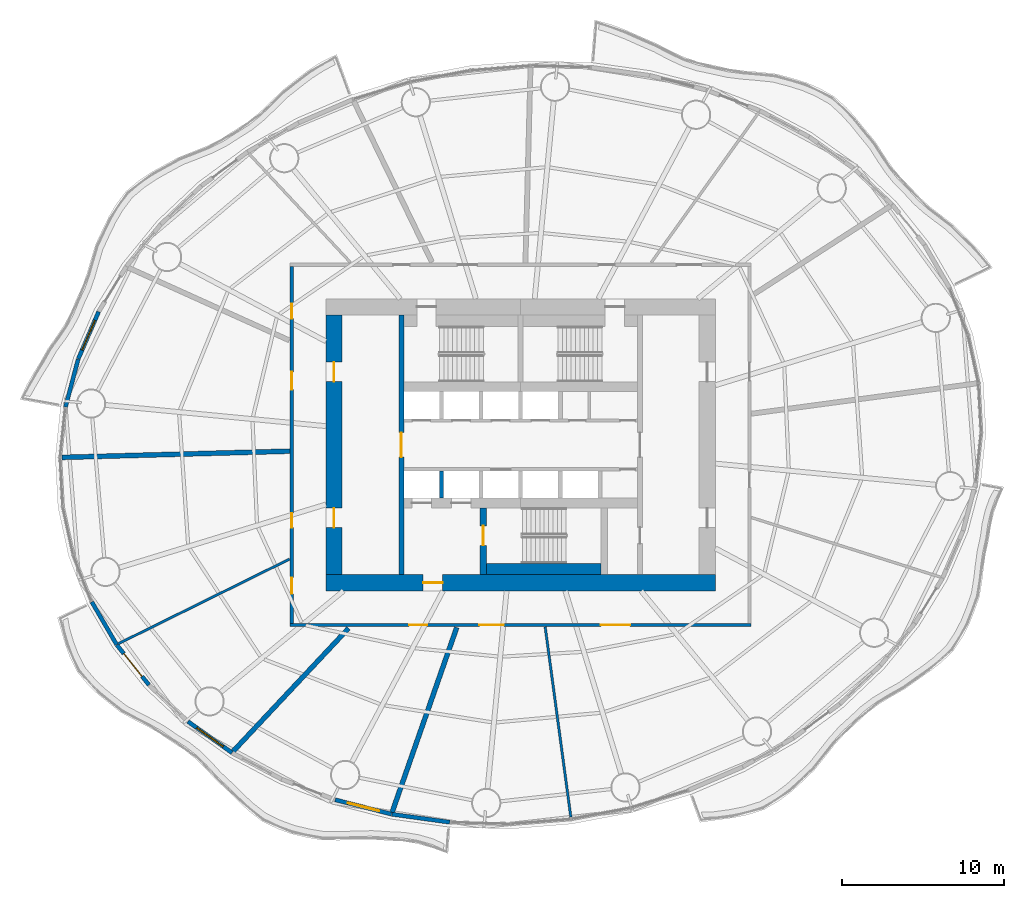
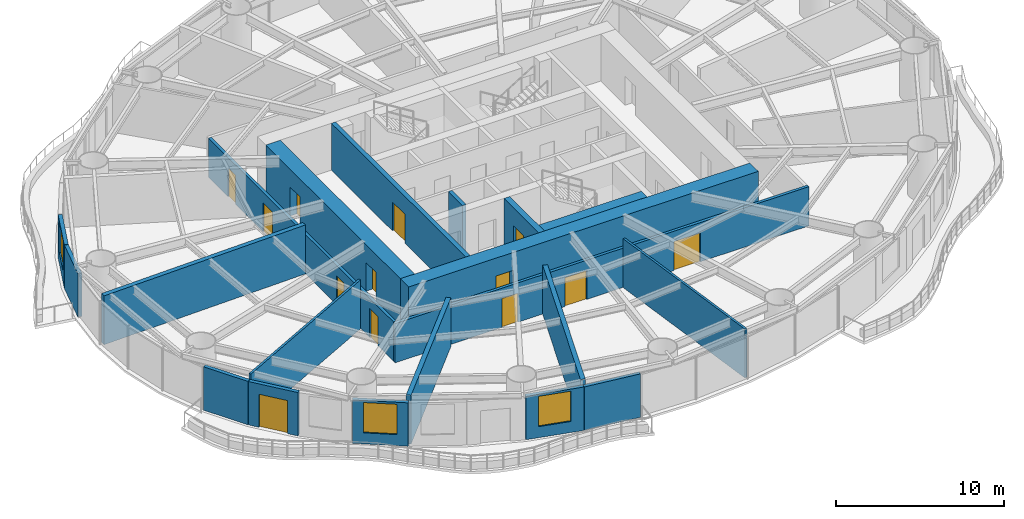
# One storey, part 8 of 16: 20 walls, 13 doors, 3 windows, 16 openings.
"""IFC4 building model written with IfcOpenShell, lengths in metres."""

from ifc_helpers import new_model, si_unit, direction, frame, frame_2d, origin, place, context, subcontext, project, spatial, rectangle, extrude, material, layer, layer_set, type_object, element, fill, save


model = new_model("IFC4")

# Units and contexts
model_context = context("Model", 3, precision=1e-05, world=origin(), true_north=direction((0.0, 1.0)))
body_context = subcontext(model_context, "Body", "Model", "MODEL_VIEW")
ifc_project = project(units=[si_unit("LENGTHUNIT", "METRE"), si_unit("AREAUNIT", "SQUARE_METRE"), si_unit("VOLUMEUNIT", "CUBIC_METRE"), si_unit("PLANEANGLEUNIT", "RADIAN"), si_unit("MASSUNIT", "GRAM", prefix="KILO")], contexts=[model_context])

# Site, building, storey
site_placement = place(None, origin())
site = spatial("IfcSite", under=ifc_project, at=site_placement, CompositionType="ELEMENT")
building_placement = place(site_placement, origin())
building = spatial("IfcBuilding", under=site, at=building_placement, Name="Vermilion Reach Broadcast Tower", CompositionType="ELEMENT")
storey_placement = place(building_placement, frame((0.0, 0.0, 65.60009765625)))
storey = spatial("IfcBuildingStorey", under=building, at=storey_placement, Name="L13", CompositionType="ELEMENT", Elevation=65.60009765625)

# Wall, opening, door
ifc_material_1 = material(Name="Concrete C70", Category="concrete")
ifc_layer_1 = layer(ifc_material_1, 0.300048828125)
ifc_layer_set_1 = layer_set([ifc_layer_1], Name="Core inner wall 300 mm Concrete C70")
wall_type_1 = type_object("IfcWallType", Name="Core inner wall 300 mm Concrete C70", PredefinedType="SHEAR", material=ifc_layer_set_1)
wall_1_placement = place(storey_placement, frame((-13.35009765625, 8.0, 0.0), z_axis=(0.0, 0.0, 1.0), x_axis=(0.0, -1.0, 0.0)))
wall_1 = element("IfcWall", 1, at=wall_1_placement, inside=storey, type_object=wall_type_1, Name="L13 core wall ewW", PredefinedType="SHEAR", context=body_context, shape_type="SweptSolid", body=[
    extrude(rectangle(XDim=16.0, YDim=0.300048828125, at=frame_2d((8.0, 0.0))), origin(), (0.0, 0.0, 1.0), 3.39990234375),
])
opening_1_placement = place(wall_1_placement, frame((7.25, 0.0, 0.0)))
opening_1 = element("IfcOpeningElement", 2, at=opening_1_placement, cuts=wall_1, Name="Opening D04", PredefinedType="OPENING", context=body_context, shape_type="SweptSolid", body=[
    extrude(rectangle(XDim=1.5, YDim=2.10009765625, at=frame_2d((0.75, 1.050048828125))), frame((0.0, 0.159912109375, 0.0), z_axis=(0.0, -1.0, 0.0), x_axis=(1.0, 0.0, 0.0)), (0.0, 0.0, 1.0), 0.320068359375),
])
ifc_material_2 = material(Name="Painted steel fire door", Category="steel")
door_type_1 = type_object("IfcDoorType", Name="Lift lobby door 1500 x 2100", OperationType="DOUBLE_DOOR_SINGLE_SWING", PredefinedType="NOTDEFINED", material=ifc_material_2)
door_1_placement = place(opening_1_placement, origin())
door_1 = element("IfcDoor", 3, at=door_1_placement, inside=storey, type_object=door_type_1, Name="L13 band door BW", OperationType="DOUBLE_DOOR_SINGLE_SWING", OverallHeight=2.10009765625, OverallWidth=1.5, PredefinedType="NOTDEFINED", context=body_context, shape_type="SweptSolid", body=[
    extrude(rectangle(XDim=1.5, YDim=2.10009765625, at=frame_2d((0.75, 1.050048828125))), frame((0.0, 0.02490234375, 0.0), z_axis=(0.0, -1.0, 0.0), x_axis=(1.0, 0.0, 0.0)), (0.0, 0.0, 1.0), 0.050048828125),
])
fill(opening_1, door_1)

ifc_material_3 = material(Name="Concrete C70", Category="concrete")
ifc_layer_2 = layer(ifc_material_3, 0.39990234375)
ifc_layer_set_2 = layer_set([ifc_layer_2], Name="Core inner wall 400 mm Concrete C70")
wall_type_2 = type_object("IfcWallType", Name="Core inner wall 400 mm Concrete C70", PredefinedType="SHEAR", material=ifc_layer_set_2)
wall_2_placement = place(storey_placement, frame((-8.300048828125, -3.8798828125, 0.0), z_axis=(0.0, 0.0, 1.0), x_axis=(0.0, -1.0, 0.0)))
wall_2 = element("IfcWall", 4, at=wall_2_placement, inside=storey, type_object=wall_type_2, Name="L13 core wall wa", PredefinedType="SHEAR", context=body_context, shape_type="SweptSolid", body=[
    extrude(rectangle(XDim=4.1201171875, YDim=0.39990234375, at=frame_2d((2.06005859375, 0.0))), origin(), (0.0, 0.0, 1.0), 3.39990234375),
])
opening_2_placement = place(wall_2_placement, frame((1.110107421875, 0.0, 0.0)))
opening_2 = element("IfcOpeningElement", 5, at=opening_2_placement, cuts=wall_2, Name="Opening D01", PredefinedType="OPENING", context=body_context, shape_type="SweptSolid", body=[
    extrude(rectangle(XDim=1.199951171875, YDim=2.10009765625, at=frame_2d((0.60009765625, 1.050048828125))), frame((0.0, 0.2099609375, 0.0), z_axis=(0.0, -1.0, 0.0), x_axis=(1.0, 0.0, 0.0)), (0.0, 0.0, 1.0), 0.419921875),
])
ifc_material_4 = material(Name="Painted steel fire door", Category="steel")
door_type_2 = type_object("IfcDoorType", Name="Stair door 1200 x 2100", OperationType="DOUBLE_DOOR_SINGLE_SWING", PredefinedType="NOTDEFINED", material=ifc_material_4)
door_2_placement = place(opening_2_placement, origin())
door_2 = element("IfcDoor", 6, at=door_2_placement, inside=storey, type_object=door_type_2, Name="L13 stair door ST3", OperationType="DOUBLE_DOOR_SINGLE_SWING", OverallHeight=2.10009765625, OverallWidth=1.199951171875, PredefinedType="NOTDEFINED", context=body_context, shape_type="SweptSolid", body=[
    extrude(rectangle(XDim=1.199951171875, YDim=2.10009765625, at=frame_2d((0.60009765625, 1.050048828125))), frame((0.0, 0.02490234375, 0.0), z_axis=(0.0, -1.0, 0.0), x_axis=(1.0, 0.0, 0.0)), (0.0, 0.0, 1.0), 0.050048828125),
])
fill(opening_2, door_2)

ifc_material_5 = material(Name="Concrete C70", Category="concrete")
ifc_layer_3 = layer(ifc_material_5, 1.0)
ifc_layer_set_3 = layer_set([ifc_layer_3], Name="Core outer wall 1000 mm Concrete C70")
wall_type_3 = type_object("IfcWallType", Name="Core outer wall 1000 mm Concrete C70", PredefinedType="SHEAR", material=ifc_layer_set_3)
wall_3_placement = place(storey_placement, frame((-18.0, -8.5, 0.0), z_axis=(0.0, 0.0, 1.0), x_axis=(1.0, 0.0, 0.0)))
wall_3 = element("IfcWall", 7, at=wall_3_placement, inside=storey, type_object=wall_type_3, Name="L13 core wall os", PredefinedType="SHEAR", context=body_context, shape_type="SweptSolid", body=[
    extrude(rectangle(XDim=24.0, YDim=1.0, at=frame_2d((12.0, 0.0))), origin(), (0.0, 0.0, 1.0), 3.39990234375),
])
opening_3_placement = place(wall_3_placement, frame((6.0, 0.0, 0.0)))
opening_3 = element("IfcOpeningElement", 8, at=opening_3_placement, cuts=wall_3, Name="Opening D02", PredefinedType="OPENING", context=body_context, shape_type="SweptSolid", body=[
    extrude(rectangle(XDim=1.199951171875, YDim=2.10009765625, at=frame_2d((0.60009765625, 1.050048828125))), frame((0.0, 0.510009765625, 0.0), z_axis=(0.0, -1.0, 0.0), x_axis=(1.0, 0.0, 0.0)), (0.0, 0.0, 1.0), 1.02001953125),
])
ifc_material_6 = material(Name="Painted steel fire door", Category="steel")
door_type_3 = type_object("IfcDoorType", Name="Firefighting lobby door 1200 x 2100", OperationType="DOUBLE_DOOR_SINGLE_SWING", PredefinedType="NOTDEFINED", material=ifc_material_6)
door_3_placement = place(opening_3_placement, origin())
door_3 = element("IfcDoor", 9, at=door_3_placement, inside=storey, type_object=door_type_3, Name="L13 ffdoor door FFL", OperationType="DOUBLE_DOOR_SINGLE_SWING", OverallHeight=2.10009765625, OverallWidth=1.199951171875, PredefinedType="NOTDEFINED", context=body_context, shape_type="SweptSolid", body=[
    extrude(rectangle(XDim=1.199951171875, YDim=2.10009765625, at=frame_2d((0.60009765625, 1.050048828125))), frame((0.0, 0.02490234375, 0.0), z_axis=(0.0, -1.0, 0.0), x_axis=(1.0, 0.0, 0.0)), (0.0, 0.0, 1.0), 0.050048828125),
])
fill(opening_3, door_3)

# Wall, openings, doors
wall_4_placement = place(storey_placement, frame((-17.5, 8.0, 0.0), z_axis=(0.0, 0.0, 1.0), x_axis=(0.0, -1.0, 0.0)))
wall_4 = element("IfcWall", 10, at=wall_4_placement, inside=storey, type_object=wall_type_3, Name="L13 core wall ow", PredefinedType="SHEAR", context=body_context, shape_type="SweptSolid", body=[
    extrude(rectangle(XDim=16.0, YDim=1.0, at=frame_2d((8.0, 0.0))), origin(), (0.0, 0.0, 1.0), 3.39990234375),
])
opening_4_placement = place(wall_4_placement, frame((11.89990234375, 0.0, 0.0)))
opening_4 = element("IfcOpeningElement", 11, at=opening_4_placement, cuts=wall_4, Name="Opening D03", PredefinedType="OPENING", context=body_context, shape_type="SweptSolid", body=[
    extrude(rectangle(XDim=1.199951171875, YDim=2.10009765625, at=frame_2d((0.60009765625, 1.050048828125))), frame((0.0, 0.510009765625, 0.0), z_axis=(0.0, -1.0, 0.0), x_axis=(1.0, 0.0, 0.0)), (0.0, 0.0, 1.0), 1.02001953125),
])
opening_5_placement = place(wall_4_placement, frame((2.89990234375, 0.0, 0.0)))
opening_5 = element("IfcOpeningElement", 12, at=opening_5_placement, cuts=wall_4, Name="Opening D03", PredefinedType="OPENING", context=body_context, shape_type="SweptSolid", body=[
    extrude(rectangle(XDim=1.199951171875, YDim=2.10009765625, at=frame_2d((0.60009765625, 1.050048828125))), frame((0.0, 0.510009765625, 0.0), z_axis=(0.0, -1.0, 0.0), x_axis=(1.0, 0.0, 0.0)), (0.0, 0.0, 1.0), 1.02001953125),
])
ifc_material_7 = material(Name="Painted steel fire door", Category="steel")
door_type_4 = type_object("IfcDoorType", Name="Core lobby door 1200 x 2100", OperationType="DOUBLE_DOOR_SINGLE_SWING", PredefinedType="NOTDEFINED", material=ifc_material_7)
door_4_placement = place(opening_4_placement, origin())
door_4 = element("IfcDoor", 13, at=door_4_placement, inside=storey, type_object=door_type_4, Name="L13 slot door W0", OperationType="DOUBLE_DOOR_SINGLE_SWING", OverallHeight=2.10009765625, OverallWidth=1.199951171875, PredefinedType="NOTDEFINED", context=body_context, shape_type="SweptSolid", body=[
    extrude(rectangle(XDim=1.199951171875, YDim=2.10009765625, at=frame_2d((0.60009765625, 1.050048828125))), frame((0.0, 0.02490234375, 0.0), z_axis=(0.0, -1.0, 0.0), x_axis=(1.0, 0.0, 0.0)), (0.0, 0.0, 1.0), 0.050048828125),
])
fill(opening_4, door_4)
door_5_placement = place(opening_5_placement, origin())
door_5 = element("IfcDoor", 14, at=door_5_placement, inside=storey, type_object=door_type_4, Name="L13 slot door W1", OperationType="DOUBLE_DOOR_SINGLE_SWING", OverallHeight=2.10009765625, OverallWidth=1.199951171875, PredefinedType="NOTDEFINED", context=body_context, shape_type="SweptSolid", body=[
    extrude(rectangle(XDim=1.199951171875, YDim=2.10009765625, at=frame_2d((0.60009765625, 1.050048828125))), frame((0.0, 0.02490234375, 0.0), z_axis=(0.0, -1.0, 0.0), x_axis=(1.0, 0.0, 0.0)), (0.0, 0.0, 1.0), 0.050048828125),
])
fill(opening_5, door_5)

# Walls
ifc_material_8 = material(Name="Concrete C50", Category="concrete")
ifc_layer_4 = layer(ifc_material_8, 0.25)
ifc_layer_set_4 = layer_set([ifc_layer_4], Name="Core shaft wall 250 mm Concrete C50")
wall_type_4 = type_object("IfcWallType", Name="Core shaft wall 250 mm Concrete C50", PredefinedType="SHEAR", material=ifc_layer_set_4)
wall_5_placement = place(storey_placement, frame((-10.88330078125, -1.60009765625, 0.0), z_axis=(0.0, 0.0, 1.0), x_axis=(0.0, -1.0, 0.0)))
element("IfcWall", 15, at=wall_5_placement, inside=storey, type_object=wall_type_4, Name="L13 core wall psS0", PredefinedType="SHEAR", context=body_context, shape_type="SweptSolid", body=[
    extrude(rectangle(XDim=1.679931640625, YDim=0.25, at=frame_2d((0.83984375, 0.0))), origin(), (0.0, 0.0, 1.0), 3.39990234375),
])
ifc_material_9 = material(Name="Concrete C70", Category="concrete")
ifc_layer_5 = layer(ifc_material_9, 0.699951171875)
ifc_layer_set_5 = layer_set([ifc_layer_5], Name="Core stair wall 700 mm Concrete C70")
wall_type_5 = type_object("IfcWallType", Name="Core stair wall 700 mm Concrete C70", PredefinedType="SHEAR", material=ifc_layer_set_5)
wall_6_placement = place(storey_placement, frame((-8.10009765625, -7.64990234375, 0.0), z_axis=(0.0, 0.0, 1.0), x_axis=(1.0, 0.0, 0.0)))
element("IfcWall", 16, at=wall_6_placement, inside=storey, type_object=wall_type_5, Name="L13 core wall l3", PredefinedType="SHEAR", context=body_context, shape_type="SweptSolid", body=[
    extrude(rectangle(XDim=7.050048828125, YDim=0.699951171875, at=frame_2d((3.52490234375, 0.0))), origin(), (0.0, 0.0, 1.0), 3.39990234375),
])
ifc_material_10 = material(Name="Lightweight concrete block, plastered", Category="concrete")
ifc_layer_6 = layer(ifc_material_10, 0.14990234375)
ifc_layer_set_6 = layer_set([ifc_layer_6], Name="Partition 150 lightweight block")
wall_type_6 = type_object("IfcWallType", Name="Partition 150 lightweight block", PredefinedType="PARTITIONING", material=ifc_layer_set_6)
wall_7_placement = place(storey_placement, frame((-30.779541015625, -12.24951171875, 0.0), z_axis=(0.0, 0.0, 1.0), x_axis=(0.89644340997, 0.443158225379, 0.0)))
element("IfcWall", 17, at=wall_7_placement, inside=storey, type_object=wall_type_6, Name="Partition 13.09", PredefinedType="PARTITIONING", context=body_context, shape_type="SweptSolid", body=[
    extrude(rectangle(XDim=11.7646484375, YDim=0.14990234375, at=frame_2d((5.88232421875, 0.0))), origin(), (0.0, 0.0, 1.0), 3.5498046875),
])
wall_8_placement = place(storey_placement, frame((-2.906982421875, -22.93701171875, 0.0), z_axis=(0.0, 0.0, 1.0), x_axis=(-0.133632581672, 0.99103094458, 0.0)))
element("IfcWall", 18, at=wall_8_placement, inside=storey, type_object=wall_type_6, Name="Partition 13.12", PredefinedType="PARTITIONING", context=body_context, shape_type="SweptSolid", body=[
    extrude(rectangle(XDim=11.833251953125, YDim=0.14990234375, at=frame_2d((5.91650390625, 0.0))), origin(), (0.0, 0.0, 1.0), 3.5498046875),
])
ifc_material_11 = material(Name="Double-leaf plasterboard on isolated steel stud", Category="steel")
ifc_layer_7 = layer(ifc_material_11, 0.300048828125)
ifc_layer_set_7 = layer_set([ifc_layer_7], Name="Partition 300 acoustic double leaf")
wall_type_7 = type_object("IfcWallType", Name="Partition 300 acoustic double leaf", PredefinedType="PARTITIONING", material=ifc_layer_set_7)
wall_9_placement = place(storey_placement, frame((-34.247314453125, -0.77294921875, 0.0), z_axis=(0.0, 0.0, 1.0), x_axis=(0.999625818084, 0.027353680181, 0.0)))
element("IfcWall", 19, at=wall_9_placement, inside=storey, type_object=wall_type_7, Name="Partition 13.08", PredefinedType="PARTITIONING", context=body_context, shape_type="SweptSolid", body=[
    extrude(rectangle(XDim=14.048583984375, YDim=0.300048828125, at=frame_2d((7.0244140625, 0.0))), origin(), (0.0, 0.0, 1.0), 3.5498046875),
])
wall_10_placement = place(storey_placement, frame((-23.705810546875, -18.873046875, 0.0), z_axis=(0.0, 0.0, 1.0), x_axis=(0.684203954535, 0.729290716106, 0.0)))
element("IfcWall", 20, at=wall_10_placement, inside=storey, type_object=wall_type_7, Name="Partition 13.10", PredefinedType="PARTITIONING", context=body_context, shape_type="SweptSolid", body=[
    extrude(rectangle(XDim=10.38037109375, YDim=0.300048828125, at=frame_2d((5.190185546875, 0.0))), origin(), (0.0, 0.0, 1.0), 3.5498046875),
])
wall_11_placement = place(storey_placement, frame((-13.916748046875, -22.634033203125, 0.0), z_axis=(0.0, 0.0, 1.0), x_axis=(0.330154755406, 0.943926817864, 0.0)))
element("IfcWall", 21, at=wall_11_placement, inside=storey, type_object=wall_type_7, Name="Partition 13.11", PredefinedType="PARTITIONING", context=body_context, shape_type="SweptSolid", body=[
    extrude(rectangle(XDim=12.060791015625, YDim=0.300048828125, at=frame_2d((6.0302734375, 0.0))), origin(), (0.0, 0.0, 1.0), 3.5498046875),
])

# Wall, opening, window
ifc_material_12 = material(Name="Terracotta rainscreen cladding", Category="masonry")
ifc_layer_8 = layer(ifc_material_12, 0.25)
ifc_layer_set_8 = layer_set([ifc_layer_8], Name="Terracotta rainscreen wall 250")
wall_type_8 = type_object("IfcWallType", Name="Terracotta rainscreen wall 250", PredefinedType="SOLIDWALL", material=ifc_layer_set_8)
wall_12_placement = place(storey_placement, frame((-32.0, 8.199951171875, 0.0), z_axis=(0.0, 0.0, 1.0), x_axis=(-0.396530812493, -0.918021413009, 0.0)))
wall_12 = element("IfcWall", 22, at=wall_12_placement, inside=storey, type_object=wall_type_8, Name="External wall L13 20", PredefinedType="SOLIDWALL", context=body_context, shape_type="SweptSolid", body=[
    extrude(rectangle(XDim=3.1572265625, YDim=0.25, at=frame_2d((1.57861328125, 0.0))), origin(), (0.0, 0.0, 1.0), 3.14990234375),
])
opening_6_placement = place(wall_12_placement, frame((0.57861328125, 0.0, 0.800048828125)))
opening_6 = element("IfcOpeningElement", 23, at=opening_6_placement, cuts=wall_12, Name="Opening W01", PredefinedType="OPENING", context=body_context, shape_type="SweptSolid", body=[
    extrude(rectangle(XDim=2.0, YDim=2.199951171875, at=frame_2d((1.0, 1.10009765625))), frame((0.0, 0.135009765625, 0.0), z_axis=(0.0, -1.0, 0.0), x_axis=(1.0, 0.0, 0.0)), (0.0, 0.0, 1.0), 0.27001953125),
])
ifc_material_13 = material(Name="Low-e laminated clear glass in aluminium frame", Category="aluminium")
window_type = type_object("IfcWindowType", Name="Punched window 2000 x 2200 sill 800", PartitioningType="SINGLE_PANEL", PredefinedType="WINDOW", material=ifc_material_13)
window_1_placement = place(opening_6_placement, origin())
window_1 = element("IfcWindow", 24, at=window_1_placement, inside=storey, type_object=window_type, Name="Window L13 20", OverallHeight=2.199951171875, OverallWidth=2.0, PartitioningType="SINGLE_PANEL", PredefinedType="WINDOW", context=body_context, shape_type="SweptSolid", body=[
    extrude(rectangle(XDim=2.0, YDim=2.199951171875, at=frame_2d((1.0, 1.10009765625))), frame((0.0, 0.030029296875, 0.0), z_axis=(0.0, -1.0, 0.0), x_axis=(1.0, 0.0, 0.0)), (0.0, 0.0, 1.0), 0.06005859375),
])
fill(opening_6, window_1)

# Walls
for number, where, z_axis, x_axis, name in (
    (25, (-33.260498046875, 5.2763671875, 0.0), (0.0, 0.0, 1.0), (-0.255826473169, -0.966722719101, 0.0), "External wall L13 21"),
    (26, (-32.420654296875, -9.675537109375, 0.0), (0.0, 0.0, 1.0), (0.502779258101, -0.864414841163, 0.0), "External wall L13 26"),
):
    element("IfcWall", number, at=place(storey_placement, frame(where, z_axis=z_axis, x_axis=x_axis)), inside=storey, type_object=wall_type_8, Name=name, PredefinedType="SOLIDWALL", context=body_context, shape_type="SweptSolid", body=[
        extrude(rectangle(XDim=3.046142578125, YDim=0.25, at=frame_2d((1.52294921875, 0.0))), origin(), (0.0, 0.0, 1.0), 3.14990234375),
    ])

# Wall, opening, door
wall_13_placement = place(storey_placement, frame((-30.874267578125, -12.33056640625, 0.0), z_axis=(0.0, 0.0, 1.0), x_axis=(0.625543346061, -0.780189414308, 0.0)))
wall_13 = element("IfcWall", 27, at=wall_13_placement, inside=storey, type_object=wall_type_8, Name="External wall L13 27", PredefinedType="SOLIDWALL", context=body_context, shape_type="SweptSolid", body=[
    extrude(rectangle(XDim=3.157470703125, YDim=0.25, at=frame_2d((1.57861328125, 0.0))), origin(), (0.0, 0.0, 1.0), 3.14990234375),
])
opening_7_placement = place(wall_13_placement, frame((0.678955078125, 0.0, 0.0)))
opening_7 = element("IfcOpeningElement", 28, at=opening_7_placement, cuts=wall_13, Name="Opening D70", PredefinedType="OPENING", context=body_context, shape_type="SweptSolid", body=[
    extrude(rectangle(XDim=1.800048828125, YDim=2.39990234375, at=frame_2d((0.89990234375, 1.199951171875))), frame((0.0, 0.135009765625, 0.0), z_axis=(0.0, -1.0, 0.0), x_axis=(1.0, 0.0, 0.0)), (0.0, 0.0, 1.0), 0.27001953125),
])
ifc_material_14 = material(Name="Low-e laminated clear glass in aluminium frame", Category="aluminium")
door_type_5 = type_object("IfcDoorType", Name="Balcony sliding door 1800 x 2400", OperationType="DOUBLE_DOOR_SLIDING", PredefinedType="DOOR", material=ifc_material_14)
door_6_placement = place(opening_7_placement, origin())
door_6 = element("IfcDoor", 29, at=door_6_placement, inside=storey, type_object=door_type_5, Name="Balcony door L13 run 07", OperationType="DOUBLE_DOOR_SLIDING", OverallHeight=2.39990234375, OverallWidth=1.800048828125, PredefinedType="DOOR", context=body_context, shape_type="SweptSolid", body=[
    extrude(rectangle(XDim=1.800048828125, YDim=2.39990234375, at=frame_2d((0.89990234375, 1.199951171875))), frame((0.0, 0.02490234375, 0.0), z_axis=(0.0, -1.0, 0.0), x_axis=(1.0, 0.0, 0.0)), (0.0, 0.0, 1.0), 0.050048828125),
])
fill(opening_7, door_6)

# Wall, opening, window
wall_14_placement = place(storey_placement, frame((-26.497314453125, -17.0439453125, 0.0), z_axis=(0.0, 0.0, 1.0), x_axis=(0.815374335275, -0.578934101064, 0.0)))
wall_14 = element("IfcWall", 30, at=wall_14_placement, inside=storey, type_object=wall_type_8, Name="External wall L13 29", PredefinedType="SOLIDWALL", context=body_context, shape_type="SweptSolid", body=[
    extrude(rectangle(XDim=3.3310546875, YDim=0.25, at=frame_2d((1.66552734375, 0.0))), origin(), (0.0, 0.0, 1.0), 3.14990234375),
])
opening_8_placement = place(wall_14_placement, frame((0.66552734375, 0.0, 0.800048828125)))
opening_8 = element("IfcOpeningElement", 31, at=opening_8_placement, cuts=wall_14, Name="Opening W01", PredefinedType="OPENING", context=body_context, shape_type="SweptSolid", body=[
    extrude(rectangle(XDim=2.0, YDim=2.199951171875, at=frame_2d((1.0, 1.10009765625))), frame((0.0, 0.135009765625, 0.0), z_axis=(0.0, -1.0, 0.0), x_axis=(1.0, 0.0, 0.0)), (0.0, 0.0, 1.0), 0.27001953125),
])
window_2_placement = place(opening_8_placement, origin())
window_2 = element("IfcWindow", 32, at=window_2_placement, inside=storey, type_object=window_type, Name="Window L13 29", OverallHeight=2.199951171875, OverallWidth=2.0, PartitioningType="SINGLE_PANEL", PredefinedType="WINDOW", context=body_context, shape_type="SweptSolid", body=[
    extrude(rectangle(XDim=2.0, YDim=2.199951171875, at=frame_2d((1.0, 1.10009765625))), frame((0.0, 0.030029296875, 0.0), z_axis=(0.0, -1.0, 0.0), x_axis=(1.0, 0.0, 0.0)), (0.0, 0.0, 1.0), 0.06005859375),
])
fill(opening_8, window_2)

wall_15_placement = place(storey_placement, frame((-17.4228515625, -21.86767578125, 0.0), z_axis=(0.0, 0.0, 1.0), x_axis=(0.968907631907, -0.24742271689, 0.0)))
wall_15 = element("IfcWall", 33, at=wall_15_placement, inside=storey, type_object=wall_type_8, Name="External wall L13 32", PredefinedType="SOLIDWALL", context=body_context, shape_type="SweptSolid", body=[
    extrude(rectangle(XDim=3.582763671875, YDim=0.25, at=frame_2d((1.79150390625, 0.0))), origin(), (0.0, 0.0, 1.0), 3.14990234375),
])
opening_9_placement = place(wall_15_placement, frame((0.791259765625, 0.0, 0.800048828125)))
opening_9 = element("IfcOpeningElement", 34, at=opening_9_placement, cuts=wall_15, Name="Opening W01", PredefinedType="OPENING", context=body_context, shape_type="SweptSolid", body=[
    extrude(rectangle(XDim=2.0, YDim=2.199951171875, at=frame_2d((1.0, 1.10009765625))), frame((0.0, 0.135009765625, 0.0), z_axis=(0.0, -1.0, 0.0), x_axis=(1.0, 0.0, 0.0)), (0.0, 0.0, 1.0), 0.27001953125),
])
window_3_placement = place(opening_9_placement, origin())
window_3 = element("IfcWindow", 35, at=window_3_placement, inside=storey, type_object=window_type, Name="Window L13 32", OverallHeight=2.199951171875, OverallWidth=2.0, PartitioningType="SINGLE_PANEL", PredefinedType="WINDOW", context=body_context, shape_type="SweptSolid", body=[
    extrude(rectangle(XDim=2.0, YDim=2.199951171875, at=frame_2d((1.0, 1.10009765625))), frame((0.0, 0.030029296875, 0.0), z_axis=(0.0, -1.0, 0.0), x_axis=(1.0, 0.0, 0.0)), (0.0, 0.0, 1.0), 0.06005859375),
])
fill(opening_9, window_3)

# Wall
wall_16_placement = place(storey_placement, frame((-13.9296875, -22.75830078125, 0.0), z_axis=(0.0, 0.0, 1.0), x_axis=(0.990592925524, -0.136841718429, 0.0)))
element("IfcWall", 36, at=wall_16_placement, inside=storey, type_object=wall_type_8, Name="External wall L13 33", PredefinedType="SOLIDWALL", context=body_context, shape_type="SweptSolid", body=[
    extrude(rectangle(XDim=3.5986328125, YDim=0.25, at=frame_2d((1.79931640625, 0.0))), origin(), (0.0, 0.0, 1.0), 3.14990234375),
])

# Wall, openings, doors
ifc_material_15 = material(Name="Fire-rated gypsum board partition")
ifc_layer_9 = layer(ifc_material_15, 0.199951171875)
ifc_layer_set_9 = layer_set([ifc_layer_9], Name="Under girder: Corridor wall 200 fire-rated")
wall_type_9 = type_object("IfcWallType", Name="Under girder: Corridor wall 200 fire-rated", PredefinedType="PARTITIONING", material=ifc_layer_set_9)
wall_17_placement = place(storey_placement, frame((8.199951171875, -11.10009765625, 0.0), z_axis=(0.0, 0.0, 1.0), x_axis=(-1.0, 0.0, 0.0)))
wall_17 = element("IfcWall", 37, at=wall_17_placement, inside=storey, type_object=wall_type_9, Name="Corridor wall 13.S", PredefinedType="PARTITIONING", context=body_context, shape_type="SweptSolid", body=[
    extrude(rectangle(XDim=28.39990234375, YDim=0.199951171875, at=frame_2d((14.199951171875, 0.0))), origin(), (0.0, 0.0, 1.0), 2.849853515625),
])
opening_10_placement = place(wall_17_placement, frame((19.96435546875, 0.0, 0.0)))
opening_10 = element("IfcOpeningElement", 38, at=opening_10_placement, cuts=wall_17, Name="Opening D28", PredefinedType="OPENING", context=body_context, shape_type="SweptSolid", body=[
    extrude(rectangle(XDim=1.10009765625, YDim=2.10009765625, at=frame_2d((0.550048828125, 1.050048828125))), frame((0.0, 0.10986328125, 0.0), z_axis=(0.0, -1.0, 0.0), x_axis=(1.0, 0.0, 0.0)), (0.0, 0.0, 1.0), 0.219970703125),
])
opening_11_placement = place(wall_17_placement, frame((15.239013671875, 0.0, 0.0)))
opening_11 = element("IfcOpeningElement", 39, at=opening_11_placement, cuts=wall_17, Name="Opening D24", PredefinedType="OPENING", context=body_context, shape_type="SweptSolid", body=[
    extrude(rectangle(XDim=1.5, YDim=2.10009765625, at=frame_2d((0.75, 1.050048828125))), frame((0.0, 0.10986328125, 0.0), z_axis=(0.0, -1.0, 0.0), x_axis=(1.0, 0.0, 0.0)), (0.0, 0.0, 1.0), 0.219970703125),
])
opening_12_placement = place(wall_17_placement, frame((7.452880859375, 0.0, 0.0)))
opening_12 = element("IfcOpeningElement", 40, at=opening_12_placement, cuts=wall_17, Name="Opening D21", PredefinedType="OPENING", context=body_context, shape_type="SweptSolid", body=[
    extrude(rectangle(XDim=1.800048828125, YDim=2.10009765625, at=frame_2d((0.89990234375, 1.050048828125))), frame((0.0, 0.10986328125, 0.0), z_axis=(0.0, -1.0, 0.0), x_axis=(1.0, 0.0, 0.0)), (0.0, 0.0, 1.0), 0.219970703125),
])
ifc_material_16 = material(Name="Timber door leaf", Category="wood")
door_type_6 = type_object("IfcDoorType", Name="Door pair 1500x2100", OperationType="NOTDEFINED", PredefinedType="DOOR", material=ifc_material_16)
door_7_placement = place(opening_11_placement, origin())
door_7 = element("IfcDoor", 41, at=door_7_placement, inside=storey, type_object=door_type_6, Name="Door 13.11", OperationType="DOUBLE_DOOR_SINGLE_SWING", OverallHeight=2.10009765625, OverallWidth=1.5, PredefinedType="DOOR", context=body_context, shape_type="SweptSolid", body=[
    extrude(rectangle(XDim=1.5, YDim=2.10009765625, at=frame_2d((0.75, 1.050048828125))), frame((0.0, 0.02490234375, 0.0), z_axis=(0.0, -1.0, 0.0), x_axis=(1.0, 0.0, 0.0)), (0.0, 0.0, 1.0), 0.050048828125),
])
fill(opening_11, door_7)
ifc_material_17 = material(Name="Timber door leaf", Category="wood")
door_type_7 = type_object("IfcDoorType", Name="Door pair 1800x2100", OperationType="NOTDEFINED", PredefinedType="DOOR", material=ifc_material_17)
door_8_placement = place(opening_12_placement, origin())
door_8 = element("IfcDoor", 42, at=door_8_placement, inside=storey, type_object=door_type_7, Name="Door 13.12", OperationType="DOUBLE_DOOR_SINGLE_SWING", OverallHeight=2.10009765625, OverallWidth=1.800048828125, PredefinedType="DOOR", context=body_context, shape_type="SweptSolid", body=[
    extrude(rectangle(XDim=1.800048828125, YDim=2.10009765625, at=frame_2d((0.89990234375, 1.050048828125))), frame((0.0, 0.02490234375, 0.0), z_axis=(0.0, -1.0, 0.0), x_axis=(1.0, 0.0, 0.0)), (0.0, 0.0, 1.0), 0.050048828125),
])
fill(opening_12, door_8)
ifc_material_18 = material(Name="Acoustic sound-lock door leaf")
door_type_8 = type_object("IfcDoorType", Name="Door single 1100x2100", OperationType="NOTDEFINED", PredefinedType="DOOR", material=ifc_material_18)
door_9_placement = place(opening_10_placement, origin())
door_9 = element("IfcDoor", 43, at=door_9_placement, inside=storey, type_object=door_type_8, Name="Door 13.10", OperationType="SINGLE_SWING_LEFT", OverallHeight=2.10009765625, OverallWidth=1.10009765625, PredefinedType="DOOR", context=body_context, shape_type="SweptSolid", body=[
    extrude(rectangle(XDim=1.10009765625, YDim=2.10009765625, at=frame_2d((0.550048828125, 1.050048828125))), frame((0.0, 0.02490234375, 0.0), z_axis=(0.0, -1.0, 0.0), x_axis=(1.0, 0.0, 0.0)), (0.0, 0.0, 1.0), 0.050048828125),
])
fill(opening_10, door_9)

wall_18_placement = place(storey_placement, frame((-20.10009765625, -11.0, 0.0), z_axis=(0.0, 0.0, 1.0), x_axis=(0.0, 1.0, 0.0)))
wall_18 = element("IfcWall", 44, at=wall_18_placement, inside=storey, type_object=wall_type_9, Name="Corridor wall 13.W", PredefinedType="PARTITIONING", context=body_context, shape_type="SweptSolid", body=[
    extrude(rectangle(XDim=22.0, YDim=0.199951171875, at=frame_2d((11.0, 0.0))), origin(), (0.0, 0.0, 1.0), 2.849853515625),
])
opening_13_placement = place(wall_18_placement, frame((18.779541015625, 0.0, 0.0)))
opening_13 = element("IfcOpeningElement", 45, at=opening_13_placement, cuts=wall_18, Name="Opening D22", PredefinedType="OPENING", context=body_context, shape_type="SweptSolid", body=[
    extrude(rectangle(XDim=0.89990234375, YDim=2.10009765625, at=frame_2d((0.449951171875, 1.050048828125))), frame((0.0, 0.10986328125, 0.0), z_axis=(0.0, -1.0, 0.0), x_axis=(1.0, 0.0, 0.0)), (0.0, 0.0, 1.0), 0.219970703125),
])
opening_14_placement = place(wall_18_placement, frame((14.40283203125, 0.0, 0.0)))
opening_14 = element("IfcOpeningElement", 46, at=opening_14_placement, cuts=wall_18, Name="Opening D28", PredefinedType="OPENING", context=body_context, shape_type="SweptSolid", body=[
    extrude(rectangle(XDim=1.10009765625, YDim=2.10009765625, at=frame_2d((0.550048828125, 1.050048828125))), frame((0.0, 0.10986328125, 0.0), z_axis=(0.0, -1.0, 0.0), x_axis=(1.0, 0.0, 0.0)), (0.0, 0.0, 1.0), 0.219970703125),
])
opening_15_placement = place(wall_18_placement, frame((5.899658203125, 0.0, 0.0)))
opening_15 = element("IfcOpeningElement", 47, at=opening_15_placement, cuts=wall_18, Name="Opening D22", PredefinedType="OPENING", context=body_context, shape_type="SweptSolid", body=[
    extrude(rectangle(XDim=0.89990234375, YDim=2.10009765625, at=frame_2d((0.449951171875, 1.050048828125))), frame((0.0, 0.10986328125, 0.0), z_axis=(0.0, -1.0, 0.0), x_axis=(1.0, 0.0, 0.0)), (0.0, 0.0, 1.0), 0.219970703125),
])
opening_16_placement = place(wall_18_placement, frame((1.826416015625, 0.0, 0.0)))
opening_16 = element("IfcOpeningElement", 48, at=opening_16_placement, cuts=wall_18, Name="Opening D20", PredefinedType="OPENING", context=body_context, shape_type="SweptSolid", body=[
    extrude(rectangle(XDim=1.0, YDim=2.10009765625, at=frame_2d((0.5, 1.050048828125))), frame((0.0, 0.10986328125, 0.0), z_axis=(0.0, -1.0, 0.0), x_axis=(1.0, 0.0, 0.0)), (0.0, 0.0, 1.0), 0.219970703125),
])
ifc_material_19 = material(Name="Timber door leaf", Category="wood")
door_type_9 = type_object("IfcDoorType", Name="Door single 1000x2100", OperationType="NOTDEFINED", PredefinedType="DOOR", material=ifc_material_19)
door_10_placement = place(opening_16_placement, origin())
door_10 = element("IfcDoor", 49, at=door_10_placement, inside=storey, type_object=door_type_9, Name="Door 13.09", OperationType="SINGLE_SWING_RIGHT", OverallHeight=2.10009765625, OverallWidth=1.0, PredefinedType="DOOR", context=body_context, shape_type="SweptSolid", body=[
    extrude(rectangle(XDim=1.0, YDim=2.10009765625, at=frame_2d((0.5, 1.050048828125))), frame((0.0, 0.02490234375, 0.0), z_axis=(0.0, -1.0, 0.0), x_axis=(1.0, 0.0, 0.0)), (0.0, 0.0, 1.0), 0.050048828125),
])
fill(opening_16, door_10)
door_11_placement = place(opening_14_placement, origin())
door_11 = element("IfcDoor", 50, at=door_11_placement, inside=storey, type_object=door_type_8, Name="Door 13.07", OperationType="SINGLE_SWING_RIGHT", OverallHeight=2.10009765625, OverallWidth=1.10009765625, PredefinedType="DOOR", context=body_context, shape_type="SweptSolid", body=[
    extrude(rectangle(XDim=1.10009765625, YDim=2.10009765625, at=frame_2d((0.550048828125, 1.050048828125))), frame((0.0, 0.02490234375, 0.0), z_axis=(0.0, -1.0, 0.0), x_axis=(1.0, 0.0, 0.0)), (0.0, 0.0, 1.0), 0.050048828125),
])
fill(opening_14, door_11)
ifc_material_20 = material(Name="Timber door leaf", Category="wood")
door_type_10 = type_object("IfcDoorType", Name="Door single 900x2100", OperationType="NOTDEFINED", PredefinedType="DOOR", material=ifc_material_20)
door_12_placement = place(opening_13_placement, origin())
door_12 = element("IfcDoor", 51, at=door_12_placement, inside=storey, type_object=door_type_10, Name="Door 13.06", OperationType="SINGLE_SWING_LEFT", OverallHeight=2.10009765625, OverallWidth=0.89990234375, PredefinedType="DOOR", context=body_context, shape_type="SweptSolid", body=[
    extrude(rectangle(XDim=0.89990234375, YDim=2.10009765625, at=frame_2d((0.449951171875, 1.050048828125))), frame((0.0, 0.02490234375, 0.0), z_axis=(0.0, -1.0, 0.0), x_axis=(1.0, 0.0, 0.0)), (0.0, 0.0, 1.0), 0.050048828125),
])
fill(opening_13, door_12)
door_13_placement = place(opening_15_placement, origin())
door_13 = element("IfcDoor", 52, at=door_13_placement, inside=storey, type_object=door_type_10, Name="Door 13.08", OperationType="SINGLE_SWING_LEFT", OverallHeight=2.10009765625, OverallWidth=0.89990234375, PredefinedType="DOOR", context=body_context, shape_type="SweptSolid", body=[
    extrude(rectangle(XDim=0.89990234375, YDim=2.10009765625, at=frame_2d((0.449951171875, 1.050048828125))), frame((0.0, 0.02490234375, 0.0), z_axis=(0.0, -1.0, 0.0), x_axis=(1.0, 0.0, 0.0)), (0.0, 0.0, 1.0), 0.050048828125),
])
fill(opening_15, door_13)

save(model, "model.ifc")
